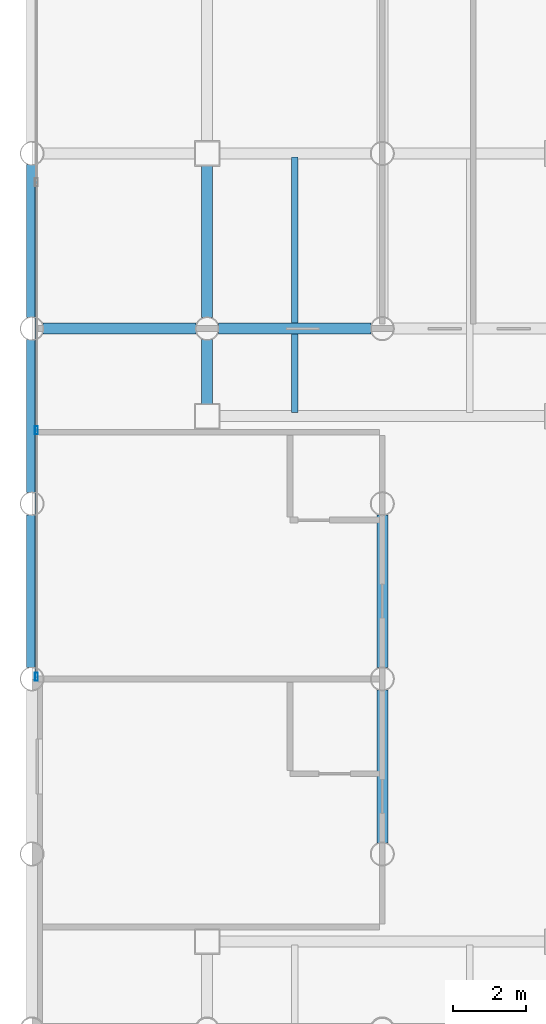
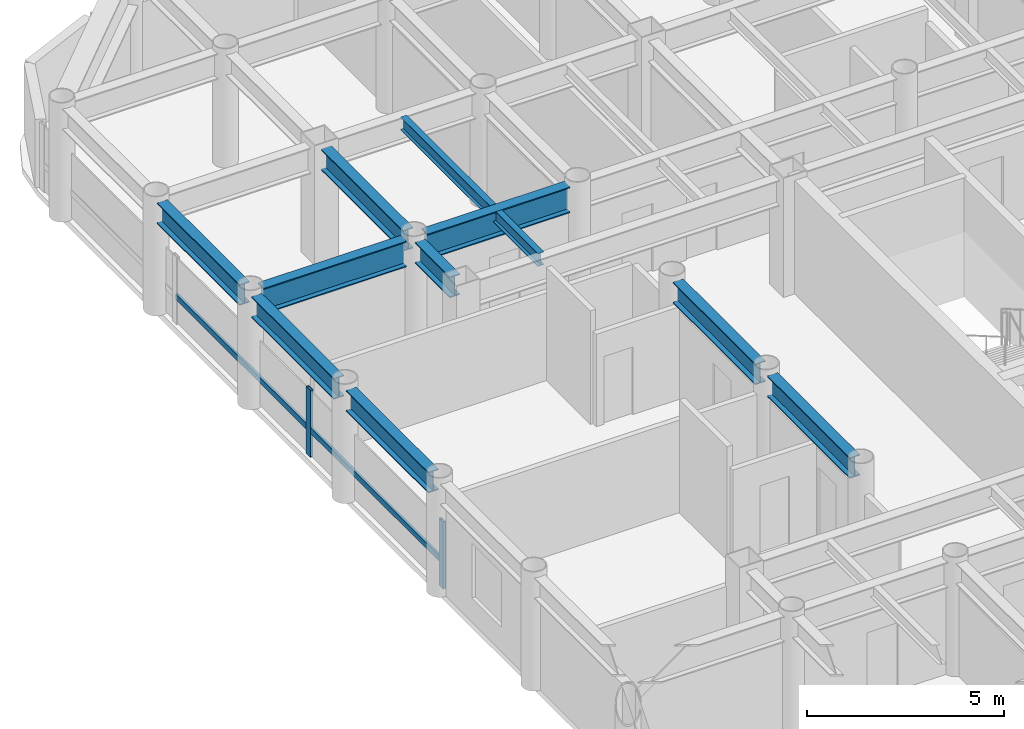
# One storey, part 4 of 22: 10 beams, 4 members, 1 element without a shape of its own.
"""IFC4 building model written with IfcOpenShell, lengths in metres."""

from ifc_helpers import new_model, si_unit, direction, frame, origin, origin_2d, place, context, subcontext, project, spatial, hollow_rectangle, i_section, extrude, material, layer, layer_set, material_profile, profile_set, type_object, element, aggregate, save


model = new_model("IFC4")

# Units and contexts
model_context = context("Model", 3, precision=1e-05, world=origin(), true_north=direction((0.0, 1.0)))
body_context = subcontext(model_context, "Body", "Model", "MODEL_VIEW")
ifc_project = project(units=[si_unit("LENGTHUNIT", "METRE"), si_unit("AREAUNIT", "SQUARE_METRE"), si_unit("VOLUMEUNIT", "CUBIC_METRE"), si_unit("PLANEANGLEUNIT", "RADIAN"), si_unit("MASSUNIT", "GRAM", prefix="KILO")], contexts=[model_context])

# Site, building, storey
site_placement = place(None, origin())
site = spatial("IfcSite", under=ifc_project, at=site_placement, CompositionType="ELEMENT")
building_placement = place(site_placement, origin())
building = spatial("IfcBuilding", under=site, at=building_placement, Name="Kallvorn Hotel Tower", CompositionType="ELEMENT")
storey_placement = place(building_placement, frame((0.0, 0.0, 113.699951171875)))
storey = spatial("IfcBuildingStorey", under=building, at=storey_placement, Name="L27", CompositionType="ELEMENT", Elevation=113.699951171875)

# Beams
ifc_material_1 = material(Name="Structural steel S355JR", Category="steel")
ifc_material_profile_1 = material_profile(ifc_material_1, i_section(OverallWidth=0.300048828125, OverallDepth=0.64990234375, WebThickness=0.01611328125, FlangeThickness=0.031005859375, at=origin_2d()), Name="HE 650 B")
ifc_profile_set_1 = profile_set([ifc_material_profile_1], Name="Structural steel S355JR")
beam_type_1 = type_object("IfcBeamType", Name="BM_HE650B", PredefinedType="BEAM", material=ifc_profile_set_1)
beam_1_placement = place(storey_placement, frame((-28.800048828125, 0.304931640625, 3.195068359375), z_axis=(0.0, 1.0, 0.0), x_axis=(-1.0, 0.0, 0.0)))
element("IfcBeam", 1, at=beam_1_placement, inside=storey, type_object=beam_type_1, Name="L28 Primary Y-Girder 77", PredefinedType="BEAM", context=body_context, shape_type="SweptSolid", body=[
    extrude(i_section(OverallWidth=0.300048828125, OverallDepth=0.64990234375, WebThickness=0.01611328125, FlangeThickness=0.031005859375, at=origin_2d()), origin(), (0.0, 0.0, 1.0), 4.190185546875),
])
for number, where, z_axis, x_axis, name in (
    (2, (-28.800048828125, 5.10498046875, 3.195068359375), (0.0, 1.0, 0.0), (-1.0, 0.0, 0.0), "L28 Primary Y-Girder 78"),
    (3, (-28.800048828125, 9.905029296875, 3.195068359375), (0.0, 1.0, 0.0), (-1.0, 0.0, 0.0), "L28 Primary Y-Girder 79"),
):
    element("IfcBeam", number, at=place(storey_placement, frame(where, z_axis=z_axis, x_axis=x_axis)), inside=storey, type_object=beam_type_1, Name=name, PredefinedType="BEAM", context=body_context, shape_type="SweptSolid", body=[
        extrude(i_section(OverallWidth=0.300048828125, OverallDepth=0.64990234375, WebThickness=0.01611328125, FlangeThickness=0.031005859375, at=origin_2d()), origin(), (0.0, 0.0, 1.0), 4.18994140625),
    ])
beam_2_placement = place(storey_placement, frame((-24.0, 7.52490234375, 3.195068359375), z_axis=(0.0, 1.0, 0.0), x_axis=(-1.0, 0.0, 0.0)))
element("IfcBeam", 4, at=beam_2_placement, inside=storey, type_object=beam_type_1, Name="L28 Primary Y-Girder 84", PredefinedType="BEAM", context=body_context, shape_type="SweptSolid", body=[
    extrude(i_section(OverallWidth=0.300048828125, OverallDepth=0.64990234375, WebThickness=0.01611328125, FlangeThickness=0.031005859375, at=origin_2d()), origin(), (0.0, 0.0, 1.0), 1.77001953125),
])
beam_3_placement = place(storey_placement, frame((-24.0, 9.905029296875, 3.195068359375), z_axis=(0.0, 1.0, 0.0), x_axis=(-1.0, 0.0, 0.0)))
element("IfcBeam", 5, at=beam_3_placement, inside=storey, type_object=beam_type_1, Name="L28 Primary Y-Girder 85", PredefinedType="BEAM", context=body_context, shape_type="SweptSolid", body=[
    extrude(i_section(OverallWidth=0.300048828125, OverallDepth=0.64990234375, WebThickness=0.01611328125, FlangeThickness=0.031005859375, at=origin_2d()), origin(), (0.0, 0.0, 1.0), 4.169921875),
])
for number, where, z_axis, x_axis, name in (
    (6, (-19.199951171875, -4.4951171875, 3.195068359375), (0.0, 1.0, 0.0), (-1.0, 0.0, 0.0), "L28 Primary Y-Girder 91"),
    (7, (-19.199951171875, 0.304931640625, 3.195068359375), (0.0, 1.0, 0.0), (-1.0, 0.0, 0.0), "L28 Primary Y-Girder 92"),
):
    element("IfcBeam", number, at=place(storey_placement, frame(where, z_axis=z_axis, x_axis=x_axis)), inside=storey, type_object=beam_type_1, Name=name, PredefinedType="BEAM", context=body_context, shape_type="SweptSolid", body=[
        extrude(i_section(OverallWidth=0.300048828125, OverallDepth=0.64990234375, WebThickness=0.01611328125, FlangeThickness=0.031005859375, at=origin_2d()), origin(), (0.0, 0.0, 1.0), 4.190185546875),
    ])
ifc_material_2 = material(Name="Structural steel S355JR", Category="steel")
ifc_material_profile_2 = material_profile(ifc_material_2, i_section(OverallWidth=0.300048828125, OverallDepth=0.800048828125, WebThickness=0.017578125, FlangeThickness=0.032958984375, at=origin_2d()), Name="HE 800 B")
ifc_profile_set_2 = profile_set([ifc_material_profile_2], Name="Structural steel S355JR")
beam_type_2 = type_object("IfcBeamType", Name="BM_HE800B", PredefinedType="BEAM", material=ifc_profile_set_2)
for number, where, z_axis, x_axis, name in (
    (8, (-28.4951171875, 9.60009765625, 3.1201171875), (1.0, 0.0, 0.0), (0.0, 1.0, 0.0), "L28 Primary X-Girder 41"),
    (9, (-23.695068359375, 9.60009765625, 3.1201171875), (1.0, 0.0, 0.0), (0.0, 1.0, 0.0), "L28 Primary X-Girder 42"),
):
    element("IfcBeam", number, at=place(storey_placement, frame(where, z_axis=z_axis, x_axis=x_axis)), inside=storey, type_object=beam_type_2, Name=name, PredefinedType="BEAM", context=body_context, shape_type="SweptSolid", body=[
        extrude(i_section(OverallWidth=0.300048828125, OverallDepth=0.800048828125, WebThickness=0.017578125, FlangeThickness=0.032958984375, at=origin_2d()), origin(), (0.0, 0.0, 1.0), 4.190185546875),
    ])
ifc_material_3 = material(Name="Structural steel S355JR", Category="steel")
ifc_material_profile_3 = material_profile(ifc_material_3, i_section(OverallWidth=0.179931640625, OverallDepth=0.39990234375, WebThickness=0.008544921875, FlangeThickness=0.013427734375, at=origin_2d()), Name="IPE 400")
ifc_profile_set_3 = profile_set([ifc_material_profile_3], Name="Structural steel S355JR")
beam_type_3 = type_object("IfcBeamType", Name="BM_IPE400", PredefinedType="JOIST", material=ifc_profile_set_3)
beam_4_placement = place(storey_placement, frame((-21.60009765625, 7.300048828125, 3.320068359375), z_axis=(0.0, 1.0, 0.0), x_axis=(-1.0, 0.0, 0.0)))
element("IfcBeam", 10, at=beam_4_placement, inside=storey, type_object=beam_type_3, Name="L28 Secondary Composite Joist 193", PredefinedType="JOIST", context=body_context, shape_type="SweptSolid", body=[
    extrude(i_section(OverallWidth=0.179931640625, OverallDepth=0.39990234375, WebThickness=0.008544921875, FlangeThickness=0.013427734375, at=origin_2d()), origin(), (0.0, 0.0, 1.0), 7.0),
])

# Curtain wall, members
ifc_material_4 = material(Name="Thermally broken black-anodised aluminium AA 6063-T6", Category="aluminium")
ifc_layer = layer(ifc_material_4, 0.199951171875)
ifc_layer_set = layer_set([ifc_layer], Name="CW_SYS_3_HOTEL_LOW")
curtain_wall_type = type_object("IfcCurtainWallType", Name="CW_SYS_3_HOTEL_LOW", PredefinedType="USERDEFINED", material=ifc_layer_set)
curtain_wall_placement = place(storey_placement, origin())
curtain_wall = element("IfcCurtainWall", 11, at=curtain_wall_placement, inside=storey, type_object=curtain_wall_type, Name="L27 Dark-Glass Curtain Wall CW-L27-WN", ObjectType="UNITISED CURTAIN WALL", PredefinedType="USERDEFINED")
ifc_material_5 = material(Name="Thermally broken black-anodised aluminium AA 6063-T6", Category="aluminium")
ifc_material_profile_4 = material_profile(ifc_material_5, hollow_rectangle(XDim=0.080078125, YDim=0.219970703125, WallThickness=0.0048828125, at=origin_2d()), Name="MUL 220x80")
ifc_profile_set_4 = profile_set([ifc_material_profile_4], Name="Thermally broken black-anodised aluminium AA 6063-T6")
member_type_1 = type_object("IfcMemberType", Name="CW_MULLION_220x80", PredefinedType="MULLION", material=ifc_profile_set_4)
member_1_placement = place(storey_placement, frame((-28.679931640625, 0.06005859375, 0.02001953125), z_axis=(0.0, 0.0, 1.0), x_axis=(1.0, 0.0, 0.0)))
member_1 = element("IfcMember", 12, at=member_1_placement, type_object=member_type_1, Name="CW-L27-WN Mullion 00", PredefinedType="MULLION", context=body_context, shape_type="SweptSolid", body=[
    extrude(hollow_rectangle(XDim=0.080078125, YDim=0.219970703125, WallThickness=0.0048828125, at=origin_2d()), origin(), (0.0, 0.0, 1.0), 2.080078125),
])
member_2_placement = place(storey_placement, frame((-28.679931640625, 6.813232421875, 0.02001953125), z_axis=(0.0, 0.0, 1.0), x_axis=(1.0, 0.0, 0.0)))
member_2 = element("IfcMember", 13, at=member_2_placement, type_object=member_type_1, Name="CW-L27-WN Mullion 01", PredefinedType="MULLION", context=body_context, shape_type="SweptSolid", body=[
    extrude(hollow_rectangle(XDim=0.080078125, YDim=0.219970703125, WallThickness=0.0048828125, at=origin_2d()), origin(), (0.0, 0.0, 1.0), 2.080078125),
])
ifc_material_6 = material(Name="Thermally broken black-anodised aluminium AA 6063-T6", Category="aluminium")
ifc_material_profile_5 = material_profile(ifc_material_6, hollow_rectangle(XDim=0.070068359375, YDim=0.179931640625, WallThickness=0.00390625, at=origin_2d()), Name="TRN 180x70")
ifc_profile_set_5 = profile_set([ifc_material_profile_5], Name="Thermally broken black-anodised aluminium AA 6063-T6")
member_type_2 = type_object("IfcMemberType", Name="CW_TRANSOM_180x70", PredefinedType="USERDEFINED", material=ifc_profile_set_5)
member_3_placement = place(storey_placement, frame((-28.679931640625, 0.06005859375, 0.85009765625), z_axis=(0.0, 1.0, 0.0), x_axis=(-1.0, 0.0, 0.0)))
member_3 = element("IfcMember", 14, at=member_3_placement, type_object=member_type_2, Name="CW-L27-WN Transom 00M", ObjectType="TRANSOM", PredefinedType="USERDEFINED", context=body_context, shape_type="SweptSolid", body=[
    extrude(hollow_rectangle(XDim=0.070068359375, YDim=0.179931640625, WallThickness=0.00390625, at=origin_2d()), origin(), (0.0, 0.0, 1.0), 6.713134765625),
])
member_4_placement = place(storey_placement, frame((-28.679931640625, 6.853271484375, 0.85009765625), z_axis=(0.0, 1.0, 0.0), x_axis=(-1.0, 0.0, 0.0)))
member_4 = element("IfcMember", 15, at=member_4_placement, type_object=member_type_2, Name="CW-L27-WN Transom 01M", ObjectType="TRANSOM", PredefinedType="USERDEFINED", context=body_context, shape_type="SweptSolid", body=[
    extrude(hollow_rectangle(XDim=0.070068359375, YDim=0.179931640625, WallThickness=0.00390625, at=origin_2d()), origin(), (0.0, 0.0, 1.0), 6.71337890625),
])
aggregate(curtain_wall, [member_1, member_2, member_3, member_4])

save(model, "model.ifc")
